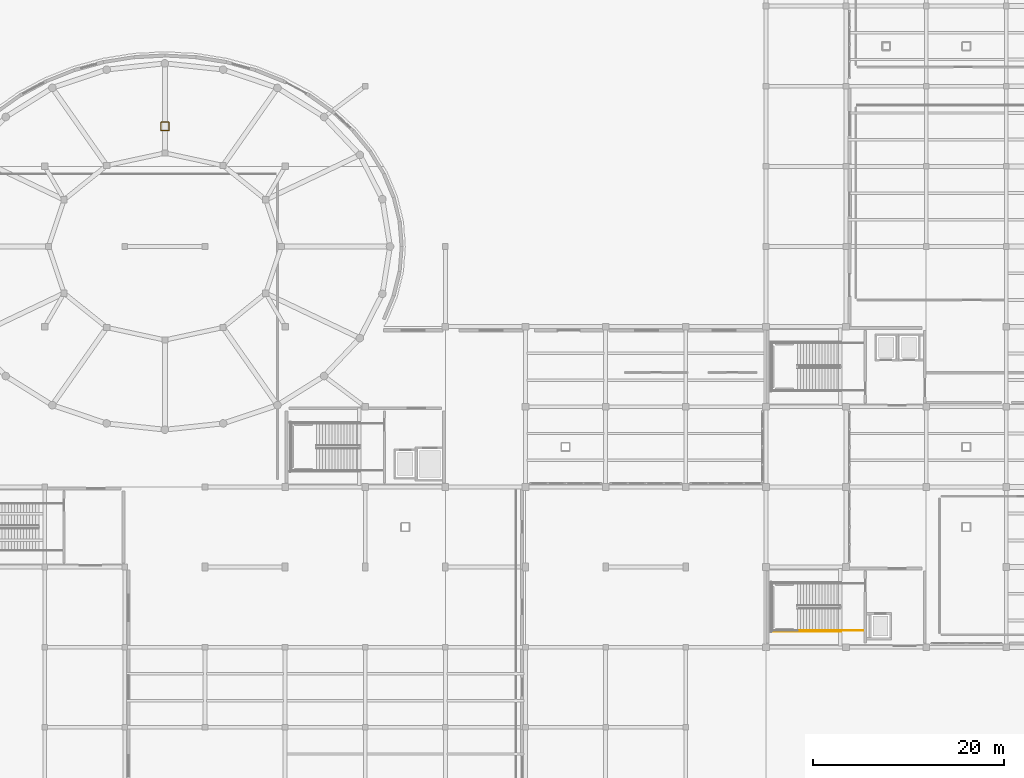
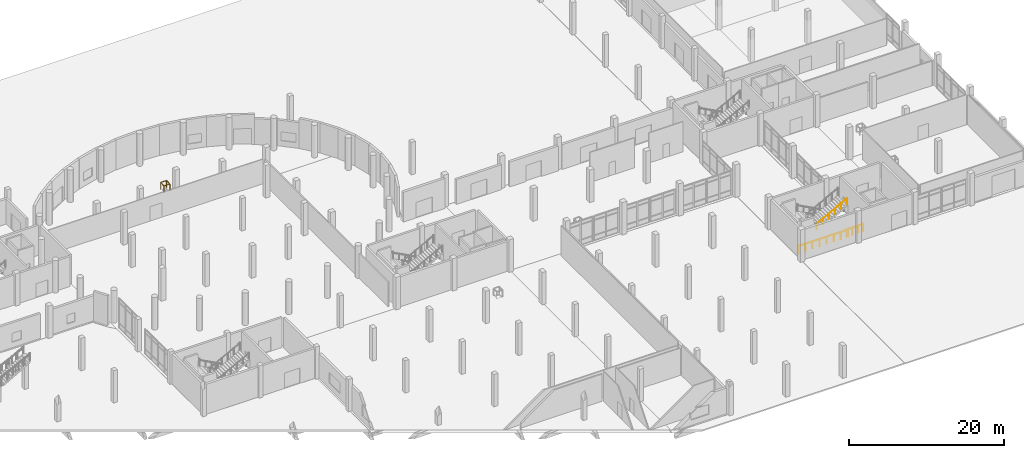
# One storey, part 61 of 64: 4 railings.
"""IFC4 building model written with IfcOpenShell, lengths in metres."""

from ifc_helpers import new_model, si_unit, derived_unit, direction, frame, origin, origin_2d, place, context, subcontext, project, spatial, circle, extrude, material, type_object, element, save


model = new_model("IFC4")

# Units and contexts
model_context = context("Model", 3, precision=1e-05, world=origin(), true_north=direction((0.0, 1.0)))
body_context = subcontext(model_context, "Body", "Model", "MODEL_VIEW")
ifc_project = project(units=[si_unit("LENGTHUNIT", "METRE"), si_unit("AREAUNIT", "SQUARE_METRE"), si_unit("VOLUMEUNIT", "CUBIC_METRE"), si_unit("PLANEANGLEUNIT", "RADIAN"), si_unit("MASSUNIT", "GRAM", prefix="KILO"), derived_unit("THERMALTRANSMITTANCEUNIT", [(si_unit("POWERUNIT", "WATT"), 1), (si_unit("LENGTHUNIT", "METRE"), -2), (si_unit("THERMODYNAMICTEMPERATUREUNIT", "KELVIN"), -1)])], contexts=[model_context])

# Site, building, storey
site_placement = place(None, origin())
site = spatial("IfcSite", under=ifc_project, at=site_placement, CompositionType="ELEMENT")
building_placement = place(site_placement, origin())
building = spatial("IfcBuilding", under=site, at=building_placement, Name="Elbkamm Science Centre", CompositionType="ELEMENT")
storey_placement = place(building_placement, origin())
storey = spatial("IfcBuildingStorey", under=building, at=storey_placement, Name="L00", CompositionType="ELEMENT", Elevation=0.0)

# Railings
ifc_material = material(Name="Stainless steel EN 1.4401", Category="steel")
railing_type_1 = type_object("IfcRailingType", Name="RAIL-GUARD-1100", PredefinedType="GUARDRAIL", material=ifc_material)
railing_1_placement = place(storey_placement, frame((136.199951171875, 26.929931640625, 0.0)))
element("IfcRailing", 1, at=railing_1_placement, inside=storey, type_object=railing_type_1, Name="L00 ST-C4 stair guard 9", PredefinedType="GUARDRAIL", context=body_context, shape_type="SweptSolid", body=[
    extrude(circle(Radius=0.02392578125, at=origin_2d()), frame((0.0, 0.0, 1.078125), z_axis=(-1.0, 0.0, 0.0), x_axis=(0.0, -1.0, 0.0)), (0.0, 0.0, 1.0), 2.419921875),
    extrude(circle(Radius=0.02001953125, at=origin_2d()), origin(), (0.0, 0.0, 1.0), 1.048095703125),
    extrude(circle(Radius=0.02001953125, at=origin_2d()), frame((-0.806640625, 0.0, 0.0)), (0.0, 0.0, 1.0), 1.048095703125),
    extrude(circle(Radius=0.02001953125, at=origin_2d()), frame((-1.61328125, 0.0, 0.0)), (0.0, 0.0, 1.0), 1.048095703125),
    extrude(circle(Radius=0.02001953125, at=origin_2d()), frame((-2.419921875, 0.0, 0.0)), (0.0, 0.0, 1.0), 1.048095703125),
])
railing_2_placement = place(storey_placement, frame((133.8798828125, 26.830078125, 0.0)))
element("IfcRailing", 2, at=railing_2_placement, inside=storey, type_object=railing_type_1, Name="L00 ST-C4 stair guard 11", PredefinedType="GUARDRAIL", context=body_context, shape_type="SweptSolid", body=[
    extrude(circle(Radius=0.02392578125, at=origin_2d()), frame((0.0, 0.0, 1.078125), z_axis=(-1.0, 0.0, 0.0), x_axis=(0.0, -1.0, 0.0)), (0.0, 0.0, 1.0), 7.3798828125),
    extrude(circle(Radius=0.02001953125, at=origin_2d()), origin(), (0.0, 0.0, 1.0), 1.048095703125),
    extrude(circle(Radius=0.02001953125, at=origin_2d()), frame((-1.05419921875, 0.0, 0.0)), (0.0, 0.0, 1.0), 1.048095703125),
    extrude(circle(Radius=0.02001953125, at=origin_2d()), frame((-2.108642578125, 0.0, 0.0)), (0.0, 0.0, 1.0), 1.048095703125),
    extrude(circle(Radius=0.02001953125, at=origin_2d()), frame((-3.162841796875, 0.0, 0.0)), (0.0, 0.0, 1.0), 1.048095703125),
    extrude(circle(Radius=0.02001953125, at=origin_2d()), frame((-4.217041015625, 0.0, 0.0)), (0.0, 0.0, 1.0), 1.048095703125),
    extrude(circle(Radius=0.02001953125, at=origin_2d()), frame((-5.271240234375, 0.0, 0.0)), (0.0, 0.0, 1.0), 1.048095703125),
    extrude(circle(Radius=0.02001953125, at=origin_2d()), frame((-6.32568359375, 0.0, 0.0)), (0.0, 0.0, 1.0), 1.048095703125),
    extrude(circle(Radius=0.02001953125, at=origin_2d()), frame((-7.3798828125, 0.0, 0.0)), (0.0, 0.0, 1.0), 1.048095703125),
])
railing_3_placement = place(storey_placement, frame((62.570068359375, 79.3701171875, 0.0)))
element("IfcRailing", 3, at=railing_3_placement, inside=storey, type_object=railing_type_1, Name="L00 Service Riser Opening Guardrail 003", PredefinedType="GUARDRAIL", context=body_context, shape_type="SweptSolid", body=[
    extrude(circle(Radius=0.02392578125, at=origin_2d()), frame((0.0, 0.0, 1.078125), z_axis=(1.0, 0.0, 0.0), x_axis=(0.0, 1.0, 0.0)), (0.0, 0.0, 1.0), 0.829833984375),
    extrude(circle(Radius=0.02392578125, at=origin_2d()), frame((0.85986328125, 0.030029296875, 1.078125), z_axis=(0.0, 1.0, 0.0), x_axis=(-1.0, 0.0, 0.0)), (0.0, 0.0, 1.0), 0.7998046875),
    extrude(circle(Radius=0.02392578125, at=origin_2d()), frame((0.829833984375, 0.85986328125, 1.078125), z_axis=(-1.0, 0.0, 0.0), x_axis=(0.0, -1.0, 0.0)), (0.0, 0.0, 1.0), 0.7998046875),
    extrude(circle(Radius=0.02392578125, at=origin_2d()), frame((0.0, 0.829833984375, 1.078125), z_axis=(0.0, -1.0, 0.0), x_axis=(1.0, 0.0, 0.0)), (0.0, 0.0, 1.0), 0.829833984375),
    extrude(circle(Radius=0.02001953125, at=origin_2d()), origin(), (0.0, 0.0, 1.0), 1.048095703125),
    extrude(circle(Radius=0.02001953125, at=origin_2d()), frame((0.85986328125, 0.0, 0.0)), (0.0, 0.0, 1.0), 1.048095703125),
    extrude(circle(Radius=0.02001953125, at=origin_2d()), frame((0.85986328125, 0.85986328125, 0.0)), (0.0, 0.0, 1.0), 1.048095703125),
    extrude(circle(Radius=0.02001953125, at=origin_2d()), frame((0.0, 0.85986328125, 0.0)), (0.0, 0.0, 1.0), 1.048095703125),
])
railing_type_2 = type_object("IfcRailingType", Name="RAIL-HAND-900", PredefinedType="HANDRAIL", material=ifc_material)
railing_4_placement = place(storey_placement, frame((129.300048828125, 26.929931640625, 2.719970703125)))
element("IfcRailing", 4, at=railing_4_placement, inside=storey, type_object=railing_type_2, Name="L00 ST-C4 stair handrail 2", PredefinedType="HANDRAIL", context=body_context, shape_type="SweptSolid", body=[
    extrude(circle(Radius=0.02392578125, at=origin_2d()), frame((0.0, 0.0, 0.8779296875), z_axis=(0.883104503341, 0.0, 0.469176338042), x_axis=(0.0, 1.0, 0.0)), (0.0, 0.0, 1.0), 5.072998046875),
    extrude(circle(Radius=0.02001953125, at=origin_2d()), origin(), (0.0, 0.0, 1.0), 0.847900390625),
    extrude(circle(Radius=0.02001953125, at=origin_2d()), frame((0.89599609375, 0.0, 0.47607421875)), (0.0, 0.0, 1.0), 0.847900390625),
    extrude(circle(Radius=0.02001953125, at=origin_2d()), frame((1.7919921875, 0.0, 0.9521484375)), (0.0, 0.0, 1.0), 0.847900390625),
    extrude(circle(Radius=0.02001953125, at=origin_2d()), frame((2.68798828125, 0.0, 1.427978515625)), (0.0, 0.0, 1.0), 0.847900390625),
    extrude(circle(Radius=0.02001953125, at=origin_2d()), frame((3.583984375, 0.0, 1.904052734375)), (0.0, 0.0, 1.0), 0.847900390625),
    extrude(circle(Radius=0.02001953125, at=origin_2d()), frame((4.47998046875, 0.0, 2.380126953125)), (0.0, 0.0, 1.0), 0.847900390625),
])

save(model, "model.ifc")
